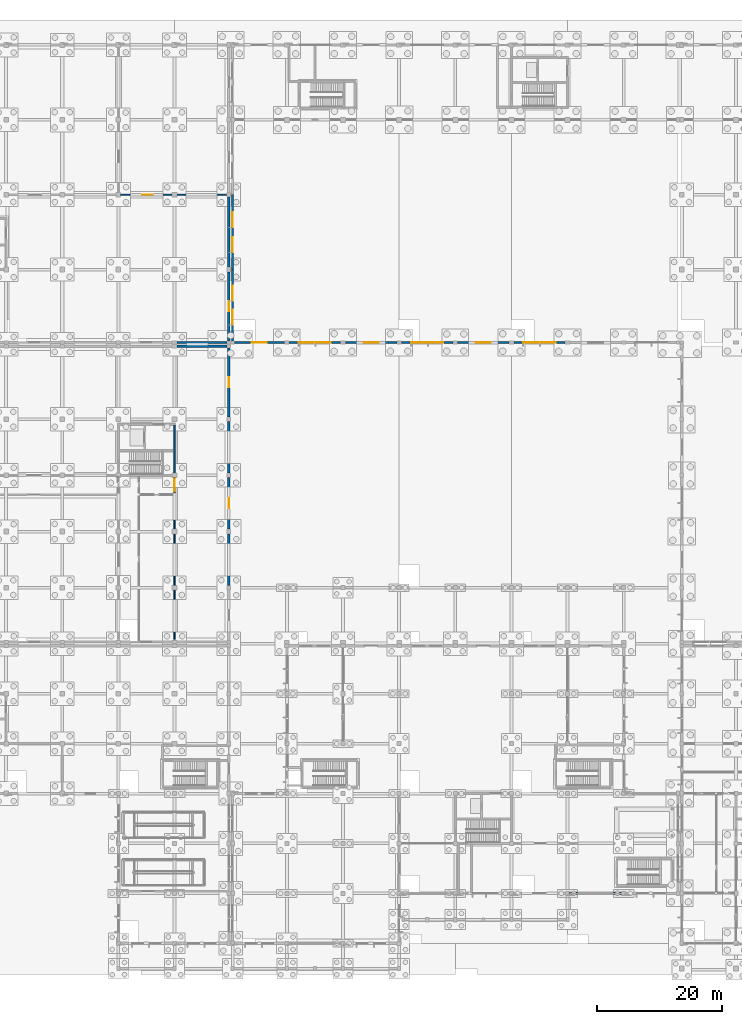
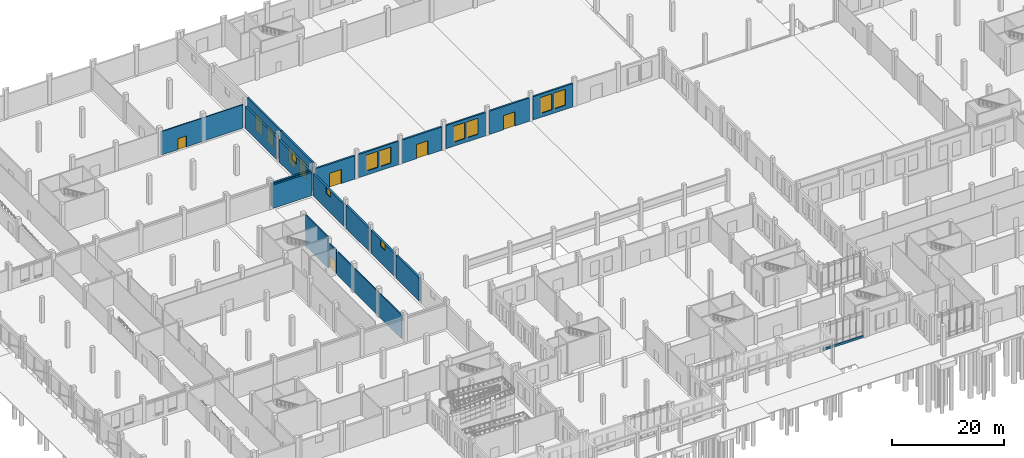
# One storey, part 63 of 99: 21 walls, 13 windows, 5 doors, 18 openings.
"""IFC4 building model written with IfcOpenShell, lengths in metres."""

from ifc_helpers import new_model, si_unit, direction, frame, frame_2d, origin, place, context, subcontext, project, spatial, rectangle, extrude, material, layer, layer_set, type_object, element, fill, save


model = new_model("IFC4")

# Units and contexts
model_context = context("Model", 3, precision=1e-05, world=origin(), true_north=direction((0.0, 1.0)))
body_context = subcontext(model_context, "Body", "Model", "MODEL_VIEW")
ifc_project = project(units=[si_unit("LENGTHUNIT", "METRE"), si_unit("AREAUNIT", "SQUARE_METRE"), si_unit("VOLUMEUNIT", "CUBIC_METRE"), si_unit("PLANEANGLEUNIT", "RADIAN"), si_unit("MASSUNIT", "GRAM", prefix="KILO")], contexts=[model_context])

# Site, building, storey
site_placement = place(None, origin())
site = spatial("IfcSite", under=ifc_project, at=site_placement, CompositionType="ELEMENT")
building_placement = place(site_placement, origin())
building = spatial("IfcBuilding", under=site, at=building_placement, Name="Zacnel Wholesale Market", CompositionType="ELEMENT")
storey_placement = place(building_placement, origin())
storey = spatial("IfcBuildingStorey", under=building, at=storey_placement, Name="L01", CompositionType="ELEMENT", Elevation=0.0)

# Wall, opening, door
ifc_material_1 = material(Name="PIR insulated cold-store panel")
ifc_layer_1 = layer(ifc_material_1, 0.195068359375)
ifc_layer_set_1 = layer_set([ifc_layer_1], Name="PIR insulated cold-store panel")
wall_type_1 = type_object("IfcWallType", Name="WL-COLD-INT195", PredefinedType="STANDARD", material=ifc_layer_set_1)
wall_1_placement = place(storey_placement, frame((63.0, 72.199951171875, 0.0), z_axis=(0.0, 0.0, 1.0), x_axis=(0.0, 1.0, 0.0)))
wall_1 = element("IfcWall", 1, at=wall_1_placement, inside=storey, type_object=wall_type_1, Name="Interior partition L01-0020", PredefinedType="STANDARD", context=body_context, shape_type="SweptSolid", body=[
    extrude(rectangle(XDim=2.5, YDim=0.195068359375, at=frame_2d((1.25, 0.0))), origin(), (0.0, 0.0, 1.0), 5.179931640625),
])
opening_1_placement = place(wall_1_placement, frame((0.175048828125, 0.0, 0.0)))
opening_1 = element("IfcOpeningElement", 2, at=opening_1_placement, cuts=wall_1, Name="Opening CD-04", PredefinedType="OPENING", context=body_context, shape_type="SweptSolid", body=[
    extrude(rectangle(XDim=2.14990234375, YDim=2.550048828125, at=frame_2d((1.074951171875, 1.27490234375))), frame((0.0, 0.107421875, 0.0), z_axis=(0.0, -1.0, 0.0), x_axis=(1.0, 0.0, 0.0)), (0.0, 0.0, 1.0), 0.215087890625),
])
ifc_material_2 = material(Name="Galvanized steel", Category="steel")
door_type_1 = type_object("IfcDoorType", Name="DR-COLD-SLIDE-2150", OperationType="NOTDEFINED", PredefinedType="DOOR", material=ifc_material_2)
door_1_placement = place(opening_1_placement, origin())
door_1 = element("IfcDoor", 3, at=door_1_placement, inside=storey, type_object=door_type_1, Name="Interior door L01-0016", OperationType="SLIDING_TO_LEFT", OverallHeight=2.550048828125, OverallWidth=2.14990234375, PredefinedType="DOOR", context=body_context, shape_type="SweptSolid", body=[
    extrude(rectangle(XDim=2.14990234375, YDim=2.550048828125, at=frame_2d((1.074951171875, 1.27490234375))), frame((0.0, 0.02490234375, 0.0), z_axis=(0.0, -1.0, 0.0), x_axis=(1.0, 0.0, 0.0)), (0.0, 0.0, 1.0), 0.050048828125),
])
fill(opening_1, door_1)

wall_2_placement = place(storey_placement, frame((54.300048828125, 120.0, 0.0), z_axis=(0.0, 0.0, 1.0), x_axis=(1.0, 0.0, 0.0)))
wall_2 = element("IfcWall", 4, at=wall_2_placement, inside=storey, type_object=wall_type_1, Name="Interior partition L01-0022", PredefinedType="STANDARD", context=body_context, shape_type="SweptSolid", body=[
    extrude(rectangle(XDim=16.949951171875, YDim=0.195068359375, at=frame_2d((8.47509765625, 0.0))), origin(), (0.0, 0.0, 1.0), 5.1298828125),
])
opening_2_placement = place(wall_2_placement, frame((3.5, 0.0, 0.0)))
opening_2 = element("IfcOpeningElement", 5, at=opening_2_placement, cuts=wall_2, Name="Opening CD-02", PredefinedType="OPENING", context=body_context, shape_type="SweptSolid", body=[
    extrude(rectangle(XDim=1.699951171875, YDim=2.39990234375, at=frame_2d((0.85009765625, 1.199951171875))), frame((0.0, 0.107421875, 0.0), z_axis=(0.0, -1.0, 0.0), x_axis=(1.0, 0.0, 0.0)), (0.0, 0.0, 1.0), 0.215087890625),
])
ifc_material_3 = material(Name="Galvanized steel", Category="steel")
door_type_2 = type_object("IfcDoorType", Name="DR-COLD-SLIDE-1700", OperationType="NOTDEFINED", PredefinedType="DOOR", material=ifc_material_3)
door_2_placement = place(opening_2_placement, origin())
door_2 = element("IfcDoor", 6, at=door_2_placement, inside=storey, type_object=door_type_2, Name="Interior door L01-0018", OperationType="SLIDING_TO_LEFT", OverallHeight=2.39990234375, OverallWidth=1.699951171875, PredefinedType="DOOR", context=body_context, shape_type="SweptSolid", body=[
    extrude(rectangle(XDim=1.699951171875, YDim=2.39990234375, at=frame_2d((0.85009765625, 1.199951171875))), frame((0.0, 0.02490234375, 0.0), z_axis=(0.0, -1.0, 0.0), x_axis=(1.0, 0.0, 0.0)), (0.0, 0.0, 1.0), 0.050048828125),
])
fill(opening_2, door_2)

# Walls
ifc_material_4 = material(Name="PIR insulated cold-store panel")
ifc_layer_2 = layer(ifc_material_4, 0.2099609375)
ifc_layer_set_2 = layer_set([ifc_layer_2], Name="PIR insulated cold-store panel")
wall_type_2 = type_object("IfcWallType", Name="WL-COLD-INT210", PredefinedType="STANDARD", material=ifc_layer_set_2)
wall_3_placement = place(storey_placement, frame((63.0, 48.75, 0.0), z_axis=(0.0, 0.0, 1.0), x_axis=(0.0, 1.0, 0.0)))
element("IfcWall", 7, at=wall_3_placement, inside=storey, type_object=wall_type_2, Name="Interior partition L01-0019", PredefinedType="STANDARD", context=body_context, shape_type="SweptSolid", body=[
    extrude(rectangle(XDim=22.85009765625, YDim=0.2099609375, at=frame_2d((11.425048828125, 0.0))), origin(), (0.0, 0.0, 1.0), 5.179931640625),
])
ifc_material_5 = material(Name="Concrete C40/50", Category="concrete")
ifc_layer_3 = layer(ifc_material_5, 0.25)
ifc_layer_set_3 = layer_set([ifc_layer_3], Name="Concrete C40/50")
wall_type_3 = type_object("IfcWallType", Name="WL-CORE-SW250", PredefinedType="SOLIDWALL", material=ifc_layer_set_3)
wall_4_placement = place(storey_placement, frame((63.0, 75.125, -0.5), z_axis=(0.0, 0.0, 1.0), x_axis=(0.0, 1.0, 0.0)))
element("IfcWall", 8, at=wall_4_placement, inside=storey, type_object=wall_type_3, Name="Core C4 east shear wall L01", PredefinedType="SOLIDWALL", context=body_context, shape_type="SweptSolid", body=[
    extrude(rectangle(XDim=7.949951171875, YDim=0.25, at=frame_2d((3.97509765625, 0.0))), origin(), (0.0, 0.0, 1.0), 6.800048828125),
])
ifc_material_6 = material(Name="Precast concrete C40/50 (insulated sandwich panel)", Category="concrete")
ifc_layer_4 = layer(ifc_material_6, 0.3798828125)
ifc_layer_set_4 = layer_set([ifc_layer_4], Name="Precast concrete C40/50 (insulated sandwich panel)")
wall_type_4 = type_object("IfcWallType", Name="WL-EXT-COLD-380", PredefinedType="SOLIDWALL", material=ifc_layer_set_4)
wall_5_placement = place(storey_placement, frame((63.375, 95.699951171875, 0.0), z_axis=(0.0, 0.0, 1.0), x_axis=(1.0, 0.0, 0.0)))
element("IfcWall", 9, at=wall_5_placement, inside=storey, type_object=wall_type_4, Name="Exterior wall L01-0046", PredefinedType="SOLIDWALL", context=body_context, shape_type="SweptSolid", body=[
    extrude(rectangle(XDim=8.050048828125, YDim=0.3798828125, at=frame_2d((4.02490234375, 0.0))), origin(), (0.0, 0.0, 1.0), 5.080078125),
])
wall_6_placement = place(storey_placement, frame((71.699951171875, 57.375, 0.0), z_axis=(0.0, 0.0, 1.0), x_axis=(0.0, 1.0, 0.0)))
element("IfcWall", 10, at=wall_6_placement, inside=storey, type_object=wall_type_4, Name="Exterior wall L01-0048", PredefinedType="SOLIDWALL", context=body_context, shape_type="SweptSolid", body=[
    extrude(rectangle(XDim=8.25, YDim=0.3798828125, at=frame_2d((4.125, 0.0))), origin(), (0.0, 0.0, 1.0), 5.080078125),
])

# Wall, opening, window
wall_7_placement = place(storey_placement, frame((71.699951171875, 66.375, 0.0), z_axis=(0.0, 0.0, 1.0), x_axis=(0.0, 1.0, 0.0)))
wall_7 = element("IfcWall", 11, at=wall_7_placement, inside=storey, type_object=wall_type_4, Name="Exterior wall L01-0049", PredefinedType="SOLIDWALL", context=body_context, shape_type="SweptSolid", body=[
    extrude(rectangle(XDim=8.25, YDim=0.3798828125, at=frame_2d((4.125, 0.0))), origin(), (0.0, 0.0, 1.0), 5.080078125),
])
opening_3_placement = place(wall_7_placement, frame((3.324951171875, 0.0, 3.590087890625)))
opening_3 = element("IfcOpeningElement", 12, at=opening_3_placement, cuts=wall_7, Name="Opening W-06", PredefinedType="OPENING", context=body_context, shape_type="SweptSolid", body=[
    extrude(rectangle(XDim=1.60009765625, YDim=1.449951171875, at=frame_2d((0.800048828125, 0.72509765625))), frame((0.0, 0.199951171875, 0.0), z_axis=(0.0, -1.0, 0.0), x_axis=(1.0, 0.0, 0.0)), (0.0, 0.0, 1.0), 0.39990234375),
])
ifc_material_7 = material(Name="Laminated hurricane-impact low-E insulated glass", Category="glass")
window_type_1 = type_object("IfcWindowType", Name="WIN-HIG-1600X1450", PartitioningType="DOUBLE_PANEL_HORIZONTAL", PredefinedType="WINDOW", material=ifc_material_7)
window_1_placement = place(opening_3_placement, origin())
window_1 = element("IfcWindow", 13, at=window_1_placement, inside=storey, type_object=window_type_1, Name="Window L01-0026", OverallHeight=1.449951171875, OverallWidth=1.60009765625, PartitioningType="DOUBLE_PANEL_HORIZONTAL", PredefinedType="WINDOW", context=body_context, shape_type="SweptSolid", body=[
    extrude(rectangle(XDim=1.60009765625, YDim=1.449951171875, at=frame_2d((0.800048828125, 0.72509765625))), frame((0.0, 0.030029296875, 0.0), z_axis=(0.0, -1.0, 0.0), x_axis=(1.0, 0.0, 0.0)), (0.0, 0.0, 1.0), 0.06005859375),
])
fill(opening_3, window_1)

# Wall
wall_8_placement = place(storey_placement, frame((71.699951171875, 75.375, 0.0), z_axis=(0.0, 0.0, 1.0), x_axis=(0.0, 1.0, 0.0)))
element("IfcWall", 14, at=wall_8_placement, inside=storey, type_object=wall_type_4, Name="Exterior wall L01-0050", PredefinedType="SOLIDWALL", context=body_context, shape_type="SweptSolid", body=[
    extrude(rectangle(XDim=8.25, YDim=0.3798828125, at=frame_2d((4.125, 0.0))), origin(), (0.0, 0.0, 1.0), 5.080078125),
])

# Wall, opening, window
wall_9_placement = place(storey_placement, frame((71.699951171875, 84.375, 0.0), z_axis=(0.0, 0.0, 1.0), x_axis=(0.0, 1.0, 0.0)))
wall_9 = element("IfcWall", 15, at=wall_9_placement, inside=storey, type_object=wall_type_4, Name="Exterior wall L01-0051", PredefinedType="SOLIDWALL", context=body_context, shape_type="SweptSolid", body=[
    extrude(rectangle(XDim=11.050048828125, YDim=0.3798828125, at=frame_2d((5.52490234375, 0.0))), origin(), (0.0, 0.0, 1.0), 4.830078125),
])
opening_4_placement = place(wall_9_placement, frame((4.72509765625, 0.0, 3.340087890625)))
opening_4 = element("IfcOpeningElement", 16, at=opening_4_placement, cuts=wall_9, Name="Opening W-06", PredefinedType="OPENING", context=body_context, shape_type="SweptSolid", body=[
    extrude(rectangle(XDim=1.60009765625, YDim=1.449951171875, at=frame_2d((0.800048828125, 0.72509765625))), frame((0.0, 0.199951171875, 0.0), z_axis=(0.0, -1.0, 0.0), x_axis=(1.0, 0.0, 0.0)), (0.0, 0.0, 1.0), 0.39990234375),
])
window_2_placement = place(opening_4_placement, origin())
window_2 = element("IfcWindow", 17, at=window_2_placement, inside=storey, type_object=window_type_1, Name="Window L01-0027", OverallHeight=1.449951171875, OverallWidth=1.60009765625, PartitioningType="DOUBLE_PANEL_HORIZONTAL", PredefinedType="WINDOW", context=body_context, shape_type="SweptSolid", body=[
    extrude(rectangle(XDim=1.60009765625, YDim=1.449951171875, at=frame_2d((0.800048828125, 0.72509765625))), frame((0.0, 0.030029296875, 0.0), z_axis=(0.0, -1.0, 0.0), x_axis=(1.0, 0.0, 0.0)), (0.0, 0.0, 1.0), 0.06005859375),
])
fill(opening_4, window_2)

# Wall
wall_10_placement = place(storey_placement, frame((63.375, 96.300048828125, 0.0), z_axis=(0.0, 0.0, 1.0), x_axis=(1.0, 0.0, 0.0)))
element("IfcWall", 18, at=wall_10_placement, inside=storey, type_object=wall_type_4, Name="Exterior wall L01-0057", PredefinedType="SOLIDWALL", context=body_context, shape_type="SweptSolid", body=[
    extrude(rectangle(XDim=8.050048828125, YDim=0.3798828125, at=frame_2d((4.02490234375, 0.0))), origin(), (0.0, 0.0, 1.0), 5.080078125),
])

# Wall, opening, window
wall_11_placement = place(storey_placement, frame((71.699951171875, 96.574951171875, 0.0), z_axis=(0.0, 0.0, 1.0), x_axis=(0.0, 1.0, 0.0)))
wall_11 = element("IfcWall", 19, at=wall_11_placement, inside=storey, type_object=wall_type_4, Name="Exterior wall L01-0064", PredefinedType="SOLIDWALL", context=body_context, shape_type="SweptSolid", body=[
    extrude(rectangle(XDim=11.050048828125, YDim=0.3798828125, at=frame_2d((5.52490234375, 0.0))), origin(), (0.0, 0.0, 1.0), 4.830078125),
])
opening_5_placement = place(wall_11_placement, frame((4.72509765625, 0.0, 3.340087890625)))
opening_5 = element("IfcOpeningElement", 20, at=opening_5_placement, cuts=wall_11, Name="Opening W-06", PredefinedType="OPENING", context=body_context, shape_type="SweptSolid", body=[
    extrude(rectangle(XDim=1.60009765625, YDim=1.449951171875, at=frame_2d((0.800048828125, 0.72509765625))), frame((0.0, 0.199951171875, 0.0), z_axis=(0.0, -1.0, 0.0), x_axis=(1.0, 0.0, 0.0)), (0.0, 0.0, 1.0), 0.39990234375),
])
window_3_placement = place(opening_5_placement, origin())
window_3 = element("IfcWindow", 21, at=window_3_placement, inside=storey, type_object=window_type_1, Name="Window L01-0031", OverallHeight=1.449951171875, OverallWidth=1.60009765625, PartitioningType="DOUBLE_PANEL_HORIZONTAL", PredefinedType="WINDOW", context=body_context, shape_type="SweptSolid", body=[
    extrude(rectangle(XDim=1.60009765625, YDim=1.449951171875, at=frame_2d((0.800048828125, 0.72509765625))), frame((0.0, 0.030029296875, 0.0), z_axis=(0.0, -1.0, 0.0), x_axis=(1.0, 0.0, 0.0)), (0.0, 0.0, 1.0), 0.06005859375),
])
fill(opening_5, window_3)

# Walls
wall_12_placement = place(storey_placement, frame((71.699951171875, 108.375, 0.0), z_axis=(0.0, 0.0, 1.0), x_axis=(0.0, 1.0, 0.0)))
element("IfcWall", 22, at=wall_12_placement, inside=storey, type_object=wall_type_4, Name="Exterior wall L01-0065", PredefinedType="SOLIDWALL", context=body_context, shape_type="SweptSolid", body=[
    extrude(rectangle(XDim=11.25, YDim=0.3798828125, at=frame_2d((5.625, 0.0))), origin(), (0.0, 0.0, 1.0), 4.830078125),
])
ifc_material_8 = material(Name="Precast concrete C40/50 (Cancun limestone aggregate)", Category="masonry")
ifc_layer_5 = layer(ifc_material_8, 0.300048828125)
ifc_layer_set_5 = layer_set([ifc_layer_5], Name="Precast concrete C40/50 (Cancun limestone aggregate)")
wall_type_5 = type_object("IfcWallType", Name="WL-EXT-LIME-300", PredefinedType="SOLIDWALL", material=ifc_layer_set_5)
wall_13_placement = place(storey_placement, frame((126.324951171875, 8.0, 0.0), z_axis=(0.0, 0.0, 1.0), x_axis=(1.0, 0.0, 0.0)))
element("IfcWall", 23, at=wall_13_placement, inside=storey, type_object=wall_type_5, Name="Curtain-wall limestone plinth L01-0003", PredefinedType="SOLIDWALL", context=body_context, shape_type="SweptSolid", body=[
    extrude(rectangle(XDim=8.35009765625, YDim=0.300048828125, at=frame_2d((4.175048828125, 0.0))), origin(), (0.0, 0.0, 1.0), 0.449951171875),
])

# Wall, opening, door
ifc_material_9 = material(Name="Precast concrete C40/50 (Cancun limestone aggregate)", Category="masonry")
ifc_layer_6 = layer(ifc_material_9, 0.340087890625)
ifc_layer_set_6 = layer_set([ifc_layer_6], Name="Precast concrete C40/50 (Cancun limestone aggregate)")
wall_type_6 = type_object("IfcWallType", Name="WL-EXT-LIME-340", PredefinedType="SOLIDWALL", material=ifc_layer_set_6)
wall_14_placement = place(storey_placement, frame((72.574951171875, 96.300048828125, 0.0), z_axis=(0.0, 0.0, 1.0), x_axis=(1.0, 0.0, 0.0)))
wall_14 = element("IfcWall", 24, at=wall_14_placement, inside=storey, type_object=wall_type_6, Name="Exterior wall L01-0124", PredefinedType="SOLIDWALL", context=body_context, shape_type="SweptSolid", body=[
    extrude(rectangle(XDim=8.050048828125, YDim=0.340087890625, at=frame_2d((4.02490234375, 0.0))), origin(), (0.0, 0.0, 1.0), 5.10009765625),
])
opening_6_placement = place(wall_14_placement, frame((2.824951171875, 0.0, 0.0)))
opening_6 = element("IfcOpeningElement", 25, at=opening_6_placement, cuts=wall_14, Name="Opening ED-01", PredefinedType="OPENING", context=body_context, shape_type="SweptSolid", body=[
    extrude(rectangle(XDim=2.39990234375, YDim=3.10009765625, at=frame_2d((1.199951171875, 1.550048828125))), frame((0.0, 0.179931640625, 0.0), z_axis=(0.0, -1.0, 0.0), x_axis=(1.0, 0.0, 0.0)), (0.0, 0.0, 1.0), 0.360107421875),
])
ifc_material_10 = material(Name="Anodised aluminium", Category="aluminium")
door_type_3 = type_object("IfcDoorType", Name="DR-EXT-PORTAL-2400", OperationType="NOTDEFINED", PredefinedType="DOOR", material=ifc_material_10)
door_3_placement = place(opening_6_placement, origin())
door_3 = element("IfcDoor", 26, at=door_3_placement, inside=storey, type_object=door_type_3, Name="Market hall civic portal 034", OperationType="DOUBLE_DOOR_SINGLE_SWING", OverallHeight=3.10009765625, OverallWidth=2.39990234375, PredefinedType="DOOR", context=body_context, shape_type="SweptSolid", body=[
    extrude(rectangle(XDim=2.39990234375, YDim=3.10009765625, at=frame_2d((1.199951171875, 1.550048828125))), frame((0.0, 0.02490234375, 0.0), z_axis=(0.0, -1.0, 0.0), x_axis=(1.0, 0.0, 0.0)), (0.0, 0.0, 1.0), 0.050048828125),
])
fill(opening_6, door_3)

# Wall, openings, windows
wall_15_placement = place(storey_placement, frame((81.375, 96.300048828125, 0.0), z_axis=(0.0, 0.0, 1.0), x_axis=(1.0, 0.0, 0.0)))
wall_15 = element("IfcWall", 27, at=wall_15_placement, inside=storey, type_object=wall_type_6, Name="Exterior wall L01-0125", PredefinedType="SOLIDWALL", context=body_context, shape_type="SweptSolid", body=[
    extrude(rectangle(XDim=8.25, YDim=0.340087890625, at=frame_2d((4.125, 0.0))), origin(), (0.0, 0.0, 1.0), 5.10009765625),
])
opening_7_placement = place(wall_15_placement, frame((1.550048828125, 0.0, 0.89990234375)))
opening_7 = element("IfcOpeningElement", 28, at=opening_7_placement, cuts=wall_15, Name="Opening W-01", PredefinedType="OPENING", context=body_context, shape_type="SweptSolid", body=[
    extrude(rectangle(XDim=2.39990234375, YDim=3.5, at=frame_2d((1.199951171875, 1.75))), frame((0.0, 0.179931640625, 0.0), z_axis=(0.0, -1.0, 0.0), x_axis=(1.0, 0.0, 0.0)), (0.0, 0.0, 1.0), 0.360107421875),
])
opening_8_placement = place(wall_15_placement, frame((4.300048828125, 0.0, 0.89990234375)))
opening_8 = element("IfcOpeningElement", 29, at=opening_8_placement, cuts=wall_15, Name="Opening W-01", PredefinedType="OPENING", context=body_context, shape_type="SweptSolid", body=[
    extrude(rectangle(XDim=2.39990234375, YDim=3.5, at=frame_2d((1.199951171875, 1.75))), frame((0.0, 0.179931640625, 0.0), z_axis=(0.0, -1.0, 0.0), x_axis=(1.0, 0.0, 0.0)), (0.0, 0.0, 1.0), 0.360107421875),
])
ifc_material_11 = material(Name="Laminated hurricane-impact low-E insulated glass", Category="glass")
window_type_2 = type_object("IfcWindowType", Name="WIN-DEC-2400X3500", PartitioningType="TRIPLE_PANEL_VERTICAL", PredefinedType="WINDOW", material=ifc_material_11)
window_4_placement = place(opening_7_placement, origin())
window_4 = element("IfcWindow", 30, at=window_4_placement, inside=storey, type_object=window_type_2, Name="Window L01-0122", OverallHeight=3.5, OverallWidth=2.39990234375, PartitioningType="TRIPLE_PANEL_VERTICAL", PredefinedType="WINDOW", context=body_context, shape_type="SweptSolid", body=[
    extrude(rectangle(XDim=2.39990234375, YDim=3.5, at=frame_2d((1.199951171875, 1.75))), frame((0.0, 0.030029296875, 0.0), z_axis=(0.0, -1.0, 0.0), x_axis=(1.0, 0.0, 0.0)), (0.0, 0.0, 1.0), 0.06005859375),
])
fill(opening_7, window_4)
window_5_placement = place(opening_8_placement, origin())
window_5 = element("IfcWindow", 31, at=window_5_placement, inside=storey, type_object=window_type_2, Name="Window L01-0123", OverallHeight=3.5, OverallWidth=2.39990234375, PartitioningType="TRIPLE_PANEL_VERTICAL", PredefinedType="WINDOW", context=body_context, shape_type="SweptSolid", body=[
    extrude(rectangle(XDim=2.39990234375, YDim=3.5, at=frame_2d((1.199951171875, 1.75))), frame((0.0, 0.030029296875, 0.0), z_axis=(0.0, -1.0, 0.0), x_axis=(1.0, 0.0, 0.0)), (0.0, 0.0, 1.0), 0.06005859375),
])
fill(opening_8, window_5)

# Wall, opening, door
wall_16_placement = place(storey_placement, frame((90.375, 96.300048828125, 0.0), z_axis=(0.0, 0.0, 1.0), x_axis=(1.0, 0.0, 0.0)))
wall_16 = element("IfcWall", 32, at=wall_16_placement, inside=storey, type_object=wall_type_6, Name="Exterior wall L01-0126", PredefinedType="SOLIDWALL", context=body_context, shape_type="SweptSolid", body=[
    extrude(rectangle(XDim=8.25, YDim=0.340087890625, at=frame_2d((4.125, 0.0))), origin(), (0.0, 0.0, 1.0), 5.10009765625),
])
opening_9_placement = place(wall_16_placement, frame((2.925048828125, 0.0, 0.0)))
opening_9 = element("IfcOpeningElement", 33, at=opening_9_placement, cuts=wall_16, Name="Opening ED-01", PredefinedType="OPENING", context=body_context, shape_type="SweptSolid", body=[
    extrude(rectangle(XDim=2.39990234375, YDim=3.10009765625, at=frame_2d((1.199951171875, 1.550048828125))), frame((0.0, 0.179931640625, 0.0), z_axis=(0.0, -1.0, 0.0), x_axis=(1.0, 0.0, 0.0)), (0.0, 0.0, 1.0), 0.360107421875),
])
door_4_placement = place(opening_9_placement, origin())
door_4 = element("IfcDoor", 34, at=door_4_placement, inside=storey, type_object=door_type_3, Name="Market hall civic portal 035", OperationType="DOUBLE_DOOR_SINGLE_SWING", OverallHeight=3.10009765625, OverallWidth=2.39990234375, PredefinedType="DOOR", context=body_context, shape_type="SweptSolid", body=[
    extrude(rectangle(XDim=2.39990234375, YDim=3.10009765625, at=frame_2d((1.199951171875, 1.550048828125))), frame((0.0, 0.02490234375, 0.0), z_axis=(0.0, -1.0, 0.0), x_axis=(1.0, 0.0, 0.0)), (0.0, 0.0, 1.0), 0.050048828125),
])
fill(opening_9, door_4)

# Wall, openings, windows
wall_17_placement = place(storey_placement, frame((99.375, 96.300048828125, 0.0), z_axis=(0.0, 0.0, 1.0), x_axis=(1.0, 0.0, 0.0)))
wall_17 = element("IfcWall", 35, at=wall_17_placement, inside=storey, type_object=wall_type_6, Name="Exterior wall L01-0127", PredefinedType="SOLIDWALL", context=body_context, shape_type="SweptSolid", body=[
    extrude(rectangle(XDim=8.25, YDim=0.340087890625, at=frame_2d((4.125, 0.0))), origin(), (0.0, 0.0, 1.0), 5.10009765625),
])
opening_10_placement = place(wall_17_placement, frame((1.550048828125, 0.0, 0.89990234375)))
opening_10 = element("IfcOpeningElement", 36, at=opening_10_placement, cuts=wall_17, Name="Opening W-01", PredefinedType="OPENING", context=body_context, shape_type="SweptSolid", body=[
    extrude(rectangle(XDim=2.39990234375, YDim=3.5, at=frame_2d((1.199951171875, 1.75))), frame((0.0, 0.179931640625, 0.0), z_axis=(0.0, -1.0, 0.0), x_axis=(1.0, 0.0, 0.0)), (0.0, 0.0, 1.0), 0.360107421875),
])
opening_11_placement = place(wall_17_placement, frame((4.300048828125, 0.0, 0.89990234375)))
opening_11 = element("IfcOpeningElement", 37, at=opening_11_placement, cuts=wall_17, Name="Opening W-01", PredefinedType="OPENING", context=body_context, shape_type="SweptSolid", body=[
    extrude(rectangle(XDim=2.39990234375, YDim=3.5, at=frame_2d((1.199951171875, 1.75))), frame((0.0, 0.179931640625, 0.0), z_axis=(0.0, -1.0, 0.0), x_axis=(1.0, 0.0, 0.0)), (0.0, 0.0, 1.0), 0.360107421875),
])
window_6_placement = place(opening_10_placement, origin())
window_6 = element("IfcWindow", 38, at=window_6_placement, inside=storey, type_object=window_type_2, Name="Window L01-0124", OverallHeight=3.5, OverallWidth=2.39990234375, PartitioningType="TRIPLE_PANEL_VERTICAL", PredefinedType="WINDOW", context=body_context, shape_type="SweptSolid", body=[
    extrude(rectangle(XDim=2.39990234375, YDim=3.5, at=frame_2d((1.199951171875, 1.75))), frame((0.0, 0.030029296875, 0.0), z_axis=(0.0, -1.0, 0.0), x_axis=(1.0, 0.0, 0.0)), (0.0, 0.0, 1.0), 0.06005859375),
])
fill(opening_10, window_6)
window_7_placement = place(opening_11_placement, origin())
window_7 = element("IfcWindow", 39, at=window_7_placement, inside=storey, type_object=window_type_2, Name="Window L01-0125", OverallHeight=3.5, OverallWidth=2.39990234375, PartitioningType="TRIPLE_PANEL_VERTICAL", PredefinedType="WINDOW", context=body_context, shape_type="SweptSolid", body=[
    extrude(rectangle(XDim=2.39990234375, YDim=3.5, at=frame_2d((1.199951171875, 1.75))), frame((0.0, 0.030029296875, 0.0), z_axis=(0.0, -1.0, 0.0), x_axis=(1.0, 0.0, 0.0)), (0.0, 0.0, 1.0), 0.06005859375),
])
fill(opening_11, window_7)

# Wall, opening, door
wall_18_placement = place(storey_placement, frame((108.375, 96.300048828125, 0.0), z_axis=(0.0, 0.0, 1.0), x_axis=(1.0, 0.0, 0.0)))
wall_18 = element("IfcWall", 40, at=wall_18_placement, inside=storey, type_object=wall_type_6, Name="Exterior wall L01-0128", PredefinedType="SOLIDWALL", context=body_context, shape_type="SweptSolid", body=[
    extrude(rectangle(XDim=8.25, YDim=0.340087890625, at=frame_2d((4.125, 0.0))), origin(), (0.0, 0.0, 1.0), 5.10009765625),
])
opening_12_placement = place(wall_18_placement, frame((2.925048828125, 0.0, 0.0)))
opening_12 = element("IfcOpeningElement", 41, at=opening_12_placement, cuts=wall_18, Name="Opening ED-01", PredefinedType="OPENING", context=body_context, shape_type="SweptSolid", body=[
    extrude(rectangle(XDim=2.39990234375, YDim=3.10009765625, at=frame_2d((1.199951171875, 1.550048828125))), frame((0.0, 0.179931640625, 0.0), z_axis=(0.0, -1.0, 0.0), x_axis=(1.0, 0.0, 0.0)), (0.0, 0.0, 1.0), 0.360107421875),
])
door_5_placement = place(opening_12_placement, origin())
door_5 = element("IfcDoor", 42, at=door_5_placement, inside=storey, type_object=door_type_3, Name="Market hall civic portal 036", OperationType="DOUBLE_DOOR_SINGLE_SWING", OverallHeight=3.10009765625, OverallWidth=2.39990234375, PredefinedType="DOOR", context=body_context, shape_type="SweptSolid", body=[
    extrude(rectangle(XDim=2.39990234375, YDim=3.10009765625, at=frame_2d((1.199951171875, 1.550048828125))), frame((0.0, 0.02490234375, 0.0), z_axis=(0.0, -1.0, 0.0), x_axis=(1.0, 0.0, 0.0)), (0.0, 0.0, 1.0), 0.050048828125),
])
fill(opening_12, door_5)

# Wall, openings, windows
wall_19_placement = place(storey_placement, frame((117.375, 96.300048828125, 0.0), z_axis=(0.0, 0.0, 1.0), x_axis=(1.0, 0.0, 0.0)))
wall_19 = element("IfcWall", 43, at=wall_19_placement, inside=storey, type_object=wall_type_6, Name="Exterior wall L01-0129", PredefinedType="SOLIDWALL", context=body_context, shape_type="SweptSolid", body=[
    extrude(rectangle(XDim=8.25, YDim=0.340087890625, at=frame_2d((4.125, 0.0))), origin(), (0.0, 0.0, 1.0), 5.10009765625),
])
opening_13_placement = place(wall_19_placement, frame((1.550048828125, 0.0, 0.89990234375)))
opening_13 = element("IfcOpeningElement", 44, at=opening_13_placement, cuts=wall_19, Name="Opening W-01", PredefinedType="OPENING", context=body_context, shape_type="SweptSolid", body=[
    extrude(rectangle(XDim=2.39990234375, YDim=3.5, at=frame_2d((1.199951171875, 1.75))), frame((0.0, 0.179931640625, 0.0), z_axis=(0.0, -1.0, 0.0), x_axis=(1.0, 0.0, 0.0)), (0.0, 0.0, 1.0), 0.360107421875),
])
opening_14_placement = place(wall_19_placement, frame((4.300048828125, 0.0, 0.89990234375)))
opening_14 = element("IfcOpeningElement", 45, at=opening_14_placement, cuts=wall_19, Name="Opening W-01", PredefinedType="OPENING", context=body_context, shape_type="SweptSolid", body=[
    extrude(rectangle(XDim=2.39990234375, YDim=3.5, at=frame_2d((1.199951171875, 1.75))), frame((0.0, 0.179931640625, 0.0), z_axis=(0.0, -1.0, 0.0), x_axis=(1.0, 0.0, 0.0)), (0.0, 0.0, 1.0), 0.360107421875),
])
window_8_placement = place(opening_13_placement, origin())
window_8 = element("IfcWindow", 46, at=window_8_placement, inside=storey, type_object=window_type_2, Name="Window L01-0126", OverallHeight=3.5, OverallWidth=2.39990234375, PartitioningType="TRIPLE_PANEL_VERTICAL", PredefinedType="WINDOW", context=body_context, shape_type="SweptSolid", body=[
    extrude(rectangle(XDim=2.39990234375, YDim=3.5, at=frame_2d((1.199951171875, 1.75))), frame((0.0, 0.030029296875, 0.0), z_axis=(0.0, -1.0, 0.0), x_axis=(1.0, 0.0, 0.0)), (0.0, 0.0, 1.0), 0.06005859375),
])
fill(opening_13, window_8)
window_9_placement = place(opening_14_placement, origin())
window_9 = element("IfcWindow", 47, at=window_9_placement, inside=storey, type_object=window_type_2, Name="Window L01-0127", OverallHeight=3.5, OverallWidth=2.39990234375, PartitioningType="TRIPLE_PANEL_VERTICAL", PredefinedType="WINDOW", context=body_context, shape_type="SweptSolid", body=[
    extrude(rectangle(XDim=2.39990234375, YDim=3.5, at=frame_2d((1.199951171875, 1.75))), frame((0.0, 0.030029296875, 0.0), z_axis=(0.0, -1.0, 0.0), x_axis=(1.0, 0.0, 0.0)), (0.0, 0.0, 1.0), 0.06005859375),
])
fill(opening_14, window_9)

wall_20_placement = place(storey_placement, frame((72.300048828125, 96.574951171875, 0.0), z_axis=(0.0, 0.0, 1.0), x_axis=(0.0, 1.0, 0.0)))
wall_20 = element("IfcWall", 48, at=wall_20_placement, inside=storey, type_object=wall_type_6, Name="Exterior wall L01-0146", PredefinedType="SOLIDWALL", context=body_context, shape_type="SweptSolid", body=[
    extrude(rectangle(XDim=11.425048828125, YDim=0.340087890625, at=frame_2d((5.71240234375, 0.0))), origin(), (0.0, 0.0, 1.0), 6.300048828125),
])
opening_15_placement = place(wall_20_placement, frame((2.60791015625, 0.0, 0.89990234375)))
opening_15 = element("IfcOpeningElement", 49, at=opening_15_placement, cuts=wall_20, Name="Opening W-01", PredefinedType="OPENING", context=body_context, shape_type="SweptSolid", body=[
    extrude(rectangle(XDim=2.39990234375, YDim=3.5, at=frame_2d((1.199951171875, 1.75))), frame((0.0, 0.179931640625, 0.0), z_axis=(0.0, -1.0, 0.0), x_axis=(1.0, 0.0, 0.0)), (0.0, 0.0, 1.0), 0.360107421875),
])
opening_16_placement = place(wall_20_placement, frame((6.4169921875, 0.0, 0.89990234375)))
opening_16 = element("IfcOpeningElement", 50, at=opening_16_placement, cuts=wall_20, Name="Opening W-01", PredefinedType="OPENING", context=body_context, shape_type="SweptSolid", body=[
    extrude(rectangle(XDim=2.39990234375, YDim=3.5, at=frame_2d((1.199951171875, 1.75))), frame((0.0, 0.179931640625, 0.0), z_axis=(0.0, -1.0, 0.0), x_axis=(1.0, 0.0, 0.0)), (0.0, 0.0, 1.0), 0.360107421875),
])
window_10_placement = place(opening_15_placement, origin())
window_10 = element("IfcWindow", 51, at=window_10_placement, inside=storey, type_object=window_type_2, Name="Window L01-0146", OverallHeight=3.5, OverallWidth=2.39990234375, PartitioningType="TRIPLE_PANEL_VERTICAL", PredefinedType="WINDOW", context=body_context, shape_type="SweptSolid", body=[
    extrude(rectangle(XDim=2.39990234375, YDim=3.5, at=frame_2d((1.199951171875, 1.75))), frame((0.0, 0.030029296875, 0.0), z_axis=(0.0, -1.0, 0.0), x_axis=(1.0, 0.0, 0.0)), (0.0, 0.0, 1.0), 0.06005859375),
])
fill(opening_15, window_10)
window_11_placement = place(opening_16_placement, origin())
window_11 = element("IfcWindow", 52, at=window_11_placement, inside=storey, type_object=window_type_2, Name="Window L01-0147", OverallHeight=3.5, OverallWidth=2.39990234375, PartitioningType="TRIPLE_PANEL_VERTICAL", PredefinedType="WINDOW", context=body_context, shape_type="SweptSolid", body=[
    extrude(rectangle(XDim=2.39990234375, YDim=3.5, at=frame_2d((1.199951171875, 1.75))), frame((0.0, 0.030029296875, 0.0), z_axis=(0.0, -1.0, 0.0), x_axis=(1.0, 0.0, 0.0)), (0.0, 0.0, 1.0), 0.06005859375),
])
fill(opening_16, window_11)

wall_21_placement = place(storey_placement, frame((72.300048828125, 108.0, 0.0), z_axis=(0.0, 0.0, 1.0), x_axis=(0.0, 1.0, 0.0)))
wall_21 = element("IfcWall", 53, at=wall_21_placement, inside=storey, type_object=wall_type_6, Name="Exterior wall L01-0147", PredefinedType="SOLIDWALL", context=body_context, shape_type="SweptSolid", body=[
    extrude(rectangle(XDim=12.0, YDim=0.340087890625, at=frame_2d((6.0, 0.0))), origin(), (0.0, 0.0, 1.0), 6.300048828125),
])
opening_17_placement = place(wall_21_placement, frame((2.800048828125, 0.0, 0.89990234375)))
opening_17 = element("IfcOpeningElement", 54, at=opening_17_placement, cuts=wall_21, Name="Opening W-01", PredefinedType="OPENING", context=body_context, shape_type="SweptSolid", body=[
    extrude(rectangle(XDim=2.39990234375, YDim=3.5, at=frame_2d((1.199951171875, 1.75))), frame((0.0, 0.179931640625, 0.0), z_axis=(0.0, -1.0, 0.0), x_axis=(1.0, 0.0, 0.0)), (0.0, 0.0, 1.0), 0.360107421875),
])
opening_18_placement = place(wall_21_placement, frame((6.800048828125, 0.0, 0.89990234375)))
opening_18 = element("IfcOpeningElement", 55, at=opening_18_placement, cuts=wall_21, Name="Opening W-01", PredefinedType="OPENING", context=body_context, shape_type="SweptSolid", body=[
    extrude(rectangle(XDim=2.39990234375, YDim=3.5, at=frame_2d((1.199951171875, 1.75))), frame((0.0, 0.179931640625, 0.0), z_axis=(0.0, -1.0, 0.0), x_axis=(1.0, 0.0, 0.0)), (0.0, 0.0, 1.0), 0.360107421875),
])
window_12_placement = place(opening_17_placement, origin())
window_12 = element("IfcWindow", 56, at=window_12_placement, inside=storey, type_object=window_type_2, Name="Window L01-0148", OverallHeight=3.5, OverallWidth=2.39990234375, PartitioningType="TRIPLE_PANEL_VERTICAL", PredefinedType="WINDOW", context=body_context, shape_type="SweptSolid", body=[
    extrude(rectangle(XDim=2.39990234375, YDim=3.5, at=frame_2d((1.199951171875, 1.75))), frame((0.0, 0.030029296875, 0.0), z_axis=(0.0, -1.0, 0.0), x_axis=(1.0, 0.0, 0.0)), (0.0, 0.0, 1.0), 0.06005859375),
])
fill(opening_17, window_12)
window_13_placement = place(opening_18_placement, origin())
window_13 = element("IfcWindow", 57, at=window_13_placement, inside=storey, type_object=window_type_2, Name="Window L01-0149", OverallHeight=3.5, OverallWidth=2.39990234375, PartitioningType="TRIPLE_PANEL_VERTICAL", PredefinedType="WINDOW", context=body_context, shape_type="SweptSolid", body=[
    extrude(rectangle(XDim=2.39990234375, YDim=3.5, at=frame_2d((1.199951171875, 1.75))), frame((0.0, 0.030029296875, 0.0), z_axis=(0.0, -1.0, 0.0), x_axis=(1.0, 0.0, 0.0)), (0.0, 0.0, 1.0), 0.06005859375),
])
fill(opening_18, window_13)

save(model, "model.ifc")
